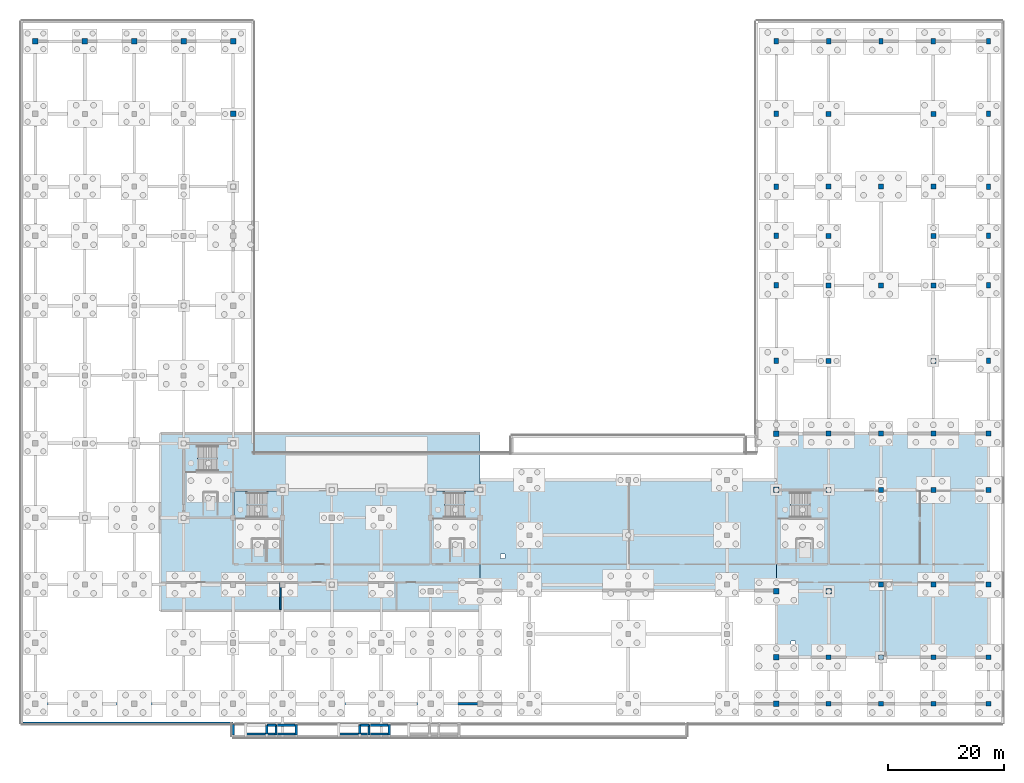
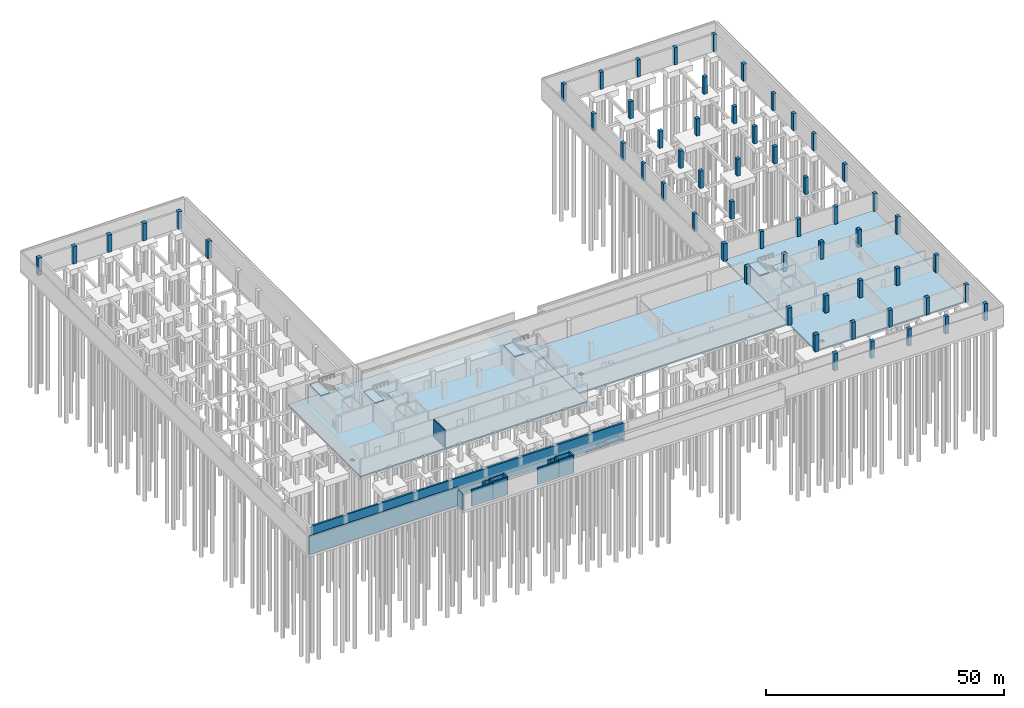
# One storey, part 8 of 25: 58 columns, 18 walls, 11 slabs, 4 elements without a shape of their own.
"""IFC4 building model written with IfcOpenShell, lengths in metres."""

from ifc_helpers import new_model, si_unit, direction, frame, frame_2d, origin, origin_2d, place, context, subcontext, project, spatial, polyline, rectangle, outline, extrude, material, layer, layer_set, material_profile, profile_set, type_object, element, aggregate, save


model = new_model("IFC4")

# Units and contexts
model_context = context("Model", 3, precision=1e-05, world=origin(), true_north=direction((0.0, 1.0)))
body_context = subcontext(model_context, "Body", "Model", "MODEL_VIEW")
ifc_project = project(units=[si_unit("LENGTHUNIT", "METRE"), si_unit("AREAUNIT", "SQUARE_METRE"), si_unit("VOLUMEUNIT", "CUBIC_METRE"), si_unit("PLANEANGLEUNIT", "RADIAN"), si_unit("MASSUNIT", "GRAM", prefix="KILO")], contexts=[model_context])

# Site, building, storey
site_placement = place(None, origin())
site = spatial("IfcSite", under=ifc_project, at=site_placement, CompositionType="ELEMENT")
building_placement = place(site_placement, origin())
building = spatial("IfcBuilding", under=site, at=building_placement, Name="Solvikara Media Centre", CompositionType="ELEMENT")
storey_placement = place(building_placement, frame((0.0, 0.0, -4.800048828125)))
storey = spatial("IfcBuildingStorey", under=building, at=storey_placement, Name="B01", CompositionType="ELEMENT", Elevation=-4.800048828125)

# Columns
ifc_material_1 = material(Name="Concrete fc' 45 MPa (C45/55)", Category="concrete")
ifc_material_profile_1 = material_profile(ifc_material_1, rectangle(XDim=0.85009765625, YDim=0.85009765625, at=origin_2d()), Name="RC 850x850")
ifc_profile_set_1 = profile_set([ifc_material_profile_1], Name="Concrete fc' 45 MPa (C45/55)")
column_type_1 = type_object("IfcColumnType", Name="CL-06", PredefinedType="COLUMN", material=ifc_profile_set_1)
for number, where, z_axis, x_axis, name in (
    (1, (136.5, 0.0, 0.0), (0.0, 0.0, 1.0), (1.0, 0.0, 0.0), "C-B01-1365-0000"),
    (2, (136.5, 8.0, 0.0), (0.0, 0.0, 1.0), (1.0, 0.0, 0.0), "C-B01-1365-0080"),
    (3, (136.5, 36.800048828125, 0.0), (0.0, 0.0, 1.0), (1.0, 0.0, 0.0), "C-B01-1365-0368"),
    (4, (136.5, 46.5, 0.0), (0.0, 0.0, 1.0), (1.0, 0.0, 0.0), "C-B01-1365-0465"),
    (5, (145.5, 0.0, 0.0), (0.0, 0.0, 1.0), (1.0, 0.0, 0.0), "C-B01-1455-0000"),
    (6, (145.5, 8.0, 0.0), (0.0, 0.0, 1.0), (1.0, 0.0, 0.0), "C-B01-1455-0080"),
    (7, (145.5, 20.5, 0.0), (0.0, 0.0, 1.0), (1.0, 0.0, 0.0), "C-B01-1455-0205"),
    (8, (145.5, 36.800048828125, 0.0), (0.0, 0.0, 1.0), (1.0, 0.0, 0.0), "C-B01-1455-0368"),
    (9, (145.5, 46.5, 0.0), (0.0, 0.0, 1.0), (1.0, 0.0, 0.0), "C-B01-1455-0465"),
    (10, (154.5, 0.0, 0.0), (0.0, 0.0, 1.0), (1.0, 0.0, 0.0), "C-B01-1545-0000"),
    (11, (154.5, 8.0, 0.0), (0.0, 0.0, 1.0), (1.0, 0.0, 0.0), "C-B01-1545-0080"),
    (12, (154.5, 20.5, 0.0), (0.0, 0.0, 1.0), (1.0, 0.0, 0.0), "C-B01-1545-0205"),
    (13, (154.5, 36.800048828125, 0.0), (0.0, 0.0, 1.0), (1.0, 0.0, 0.0), "C-B01-1545-0368"),
    (14, (154.5, 46.5, 0.0), (0.0, 0.0, 1.0), (1.0, 0.0, 0.0), "C-B01-1545-0465"),
    (15, (164.0, 0.0, 0.0), (0.0, 0.0, 1.0), (1.0, 0.0, 0.0), "C-B01-1640-0000"),
    (16, (164.0, 8.0, 0.0), (0.0, 0.0, 1.0), (1.0, 0.0, 0.0), "C-B01-1640-0080"),
    (17, (164.0, 20.5, 0.0), (0.0, 0.0, 1.0), (1.0, 0.0, 0.0), "C-B01-1640-0205"),
    (18, (164.0, 36.800048828125, 0.0), (0.0, 0.0, 1.0), (1.0, 0.0, 0.0), "C-B01-1640-0368"),
    (19, (164.0, 46.5, 0.0), (0.0, 0.0, 1.0), (1.0, 0.0, 0.0), "C-B01-1640-0465"),
    (20, (136.5, 59.0, 0.0), (0.0, 0.0, 1.0), (1.0, 0.0, 0.0), "C-B01-1365-0590"),
    (21, (136.5, 72.0, 0.0), (0.0, 0.0, 1.0), (1.0, 0.0, 0.0), "C-B01-1365-0720"),
    (22, (136.5, 80.5, 0.0), (0.0, 0.0, 1.0), (1.0, 0.0, 0.0), "C-B01-1365-0805"),
    (23, (136.5, 89.0, 0.0), (0.0, 0.0, 1.0), (1.0, 0.0, 0.0), "C-B01-1365-0890"),
    (24, (136.5, 101.5, 0.0), (0.0, 0.0, 1.0), (1.0, 0.0, 0.0), "C-B01-1365-1015"),
    (25, (145.5, 72.0, 0.0), (0.0, 0.0, 1.0), (1.0, 0.0, 0.0), "C-B01-1455-0720"),
    (26, (145.5, 89.0, 0.0), (0.0, 0.0, 1.0), (1.0, 0.0, 0.0), "C-B01-1455-0890"),
    (27, (154.5, 59.0, 0.0), (0.0, 0.0, 1.0), (1.0, 0.0, 0.0), "C-B01-1545-0590"),
    (28, (154.5, 72.0, 0.0), (0.0, 0.0, 1.0), (1.0, 0.0, 0.0), "C-B01-1545-0720"),
    (29, (154.5, 80.5, 0.0), (0.0, 0.0, 1.0), (1.0, 0.0, 0.0), "C-B01-1545-0805"),
    (30, (154.5, 89.0, 0.0), (0.0, 0.0, 1.0), (1.0, 0.0, 0.0), "C-B01-1545-0890"),
    (31, (154.5, 101.5, 0.0), (0.0, 0.0, 1.0), (1.0, 0.0, 0.0), "C-B01-1545-1015"),
):
    element("IfcColumn", number, at=place(storey_placement, frame(where, z_axis=z_axis, x_axis=x_axis)), inside=storey, type_object=column_type_1, Name=name, PredefinedType="COLUMN", context=body_context, shape_type="SweptSolid", body=[
        extrude(rectangle(XDim=0.85009765625, YDim=0.85009765625, at=origin_2d()), origin(), (0.0, 0.0, 1.0), 4.420166015625),
    ])
ifc_material_profile_2 = material_profile(ifc_material_1, rectangle(XDim=0.949951171875, YDim=0.949951171875, at=origin_2d()), Name="RC 950x950")
ifc_profile_set_2 = profile_set([ifc_material_profile_2], Name="Concrete fc' 45 MPa (C45/55)")
column_type_2 = type_object("IfcColumnType", Name="CL-08", PredefinedType="COLUMN", material=ifc_profile_set_2)
for number, where, z_axis, x_axis, name in (
    (32, (0.0, 114.0, 0.0), (0.0, 0.0, 1.0), (1.0, 0.0, 0.0), "C-B01-0000-1140"),
    (33, (8.5, 114.0, 0.0), (0.0, 0.0, 1.0), (1.0, 0.0, 0.0), "C-B01-0085-1140"),
    (34, (17.0, 114.0, 0.0), (0.0, 0.0, 1.0), (1.0, 0.0, 0.0), "C-B01-0170-1140"),
    (35, (25.5, 114.0, 0.0), (0.0, 0.0, 1.0), (1.0, 0.0, 0.0), "C-B01-0255-1140"),
    (36, (34.0, 101.5, 0.0), (0.0, 0.0, 1.0), (1.0, 0.0, 0.0), "C-B01-0340-1015"),
    (37, (34.0, 114.0, 0.0), (0.0, 0.0, 1.0), (1.0, 0.0, 0.0), "C-B01-0340-1140"),
):
    element("IfcColumn", number, at=place(storey_placement, frame(where, z_axis=z_axis, x_axis=x_axis)), inside=storey, type_object=column_type_2, Name=name, PredefinedType="COLUMN", context=body_context, shape_type="SweptSolid", body=[
        extrude(rectangle(XDim=0.949951171875, YDim=0.949951171875, at=origin_2d()), origin(), (0.0, 0.0, 1.0), 4.4599609375),
    ])
for number, where, z_axis, x_axis, name in (
    (38, (127.5, 0.0, 0.0), (0.0, 0.0, 1.0), (1.0, 0.0, 0.0), "C-B01-1275-0000"),
    (39, (127.5, 8.0, 0.0), (0.0, 0.0, 1.0), (1.0, 0.0, 0.0), "C-B01-1275-0080"),
    (40, (127.5, 36.800048828125, 0.0), (0.0, 0.0, 1.0), (1.0, 0.0, 0.0), "C-B01-1275-0368"),
    (41, (127.5, 46.5, 0.0), (0.0, 0.0, 1.0), (1.0, 0.0, 0.0), "C-B01-1275-0465"),
    (42, (136.5, 19.323974609375, 0.0), (0.0, 0.0, 1.0), (1.0, 0.0, 0.0), "C-B01-1365-0193"),
    (43, (127.5, 19.323974609375, 0.0), (0.0, 0.0, 1.0), (1.0, 0.0, 0.0), "C-B01-1275-0193"),
):
    element("IfcColumn", number, at=place(storey_placement, frame(where, z_axis=z_axis, x_axis=x_axis)), inside=storey, type_object=column_type_2, Name=name, PredefinedType="COLUMN", context=body_context, shape_type="SweptSolid", body=[
        extrude(rectangle(XDim=0.949951171875, YDim=0.949951171875, at=origin_2d()), origin(), (0.0, 0.0, 1.0), 4.420166015625),
    ])
ifc_material_profile_3 = material_profile(ifc_material_1, rectangle(XDim=0.75, YDim=0.949951171875, at=origin_2d()), Name="RC 750x950")
ifc_profile_set_3 = profile_set([ifc_material_profile_3], Name="Concrete fc' 45 MPa (C45/55)")
column_type_3 = type_object("IfcColumnType", Name="CL-14", PredefinedType="COLUMN", material=ifc_profile_set_3)
for number, where, z_axis, x_axis, name in (
    (44, (127.5, 59.0, 0.0), (0.0, 0.0, 1.0), (1.0, 0.0, 0.0), "C-B01-1275-0590"),
    (45, (127.5, 72.0, 0.0), (0.0, 0.0, 1.0), (1.0, 0.0, 0.0), "C-B01-1275-0720"),
    (46, (127.5, 80.5, 0.0), (0.0, 0.0, 1.0), (1.0, 0.0, 0.0), "C-B01-1275-0805"),
    (47, (127.5, 89.0, 0.0), (0.0, 0.0, 1.0), (1.0, 0.0, 0.0), "C-B01-1275-0890"),
    (48, (127.5, 101.5, 0.0), (0.0, 0.0, 1.0), (1.0, 0.0, 0.0), "C-B01-1275-1015"),
    (49, (127.5, 114.0, 0.0), (0.0, 0.0, 1.0), (1.0, 0.0, 0.0), "C-B01-1275-1140"),
    (50, (136.5, 114.0, 0.0), (0.0, 0.0, 1.0), (1.0, 0.0, 0.0), "C-B01-1365-1140"),
    (51, (145.5, 114.0, 0.0), (0.0, 0.0, 1.0), (1.0, 0.0, 0.0), "C-B01-1455-1140"),
    (52, (154.5, 114.0, 0.0), (0.0, 0.0, 1.0), (1.0, 0.0, 0.0), "C-B01-1545-1140"),
    (53, (164.0, 59.0, 0.0), (0.0, 0.0, 1.0), (1.0, 0.0, 0.0), "C-B01-1640-0590"),
    (54, (164.0, 72.0, 0.0), (0.0, 0.0, 1.0), (1.0, 0.0, 0.0), "C-B01-1640-0720"),
    (55, (164.0, 80.5, 0.0), (0.0, 0.0, 1.0), (1.0, 0.0, 0.0), "C-B01-1640-0805"),
    (56, (164.0, 89.0, 0.0), (0.0, 0.0, 1.0), (1.0, 0.0, 0.0), "C-B01-1640-0890"),
    (57, (164.0, 101.5, 0.0), (0.0, 0.0, 1.0), (1.0, 0.0, 0.0), "C-B01-1640-1015"),
    (58, (164.0, 114.0, 0.0), (0.0, 0.0, 1.0), (1.0, 0.0, 0.0), "C-B01-1640-1140"),
):
    element("IfcColumn", number, at=place(storey_placement, frame(where, z_axis=z_axis, x_axis=x_axis)), inside=storey, type_object=column_type_3, Name=name, PredefinedType="COLUMN", context=body_context, shape_type="SweptSolid", body=[
        extrude(rectangle(XDim=0.75, YDim=0.949951171875, at=origin_2d()), origin(), (0.0, 0.0, 1.0), 4.420166015625),
    ])

# Slabs
ifc_material_2 = material(Name="Concrete fc' 35 MPa (C35/45)", Category="concrete")
ifc_layer_1 = layer(ifc_material_2, 0.419921875)
ifc_layer_set_1 = layer_set([ifc_layer_1], Name="Concrete fc' 35 MPa (C35/45)")
slab_type_1 = type_object("IfcSlabType", Name="ST-01", PredefinedType="BASESLAB", material=ifc_layer_set_1)
slab_1_placement = place(storey_placement, frame((0.0, 0.0, -0.419921875)))
element("IfcSlab", 59, at=slab_1_placement, inside=storey, type_object=slab_type_1, Name="SL-B01-V6", PredefinedType="BASESLAB", context=body_context, shape_type="SweptSolid", body=[
    extrude(outline(polyline([(21.5, 16.0), (76.5, 16.0), (76.5, 46.5), (21.5, 46.5), (21.5, 16.0)]), holes=[polyline([(22.60009765625, 21.60009765625), (23.39990234375, 21.60009765625), (23.39990234375, 22.39990234375), (22.60009765625, 22.39990234375), (22.60009765625, 21.60009765625)])]), origin(), (0.0, 0.0, 1.0), 0.419921875),
])
slab_2_placement = place(storey_placement, frame((0.0, 0.0, -0.419921875)))
element("IfcSlab", 60, at=slab_2_placement, inside=storey, type_object=slab_type_1, Name="SL-B01-V7LINK", PredefinedType="BASESLAB", context=body_context, shape_type="SweptSolid", body=[
    extrude(outline(polyline([(76.5, 19.5), (127.5, 19.5), (127.5, 38.5), (76.5, 38.5), (76.5, 19.5)]), holes=[polyline([(80.0, 25.0), (80.800048828125, 25.0), (80.800048828125, 25.800048828125), (80.0, 25.800048828125), (80.0, 25.0)])]), origin(), (0.0, 0.0, 1.0), 0.419921875),
])
slab_3_placement = place(storey_placement, frame((0.0, 0.0, -0.419921875)))
element("IfcSlab", 61, at=slab_3_placement, inside=storey, type_object=slab_type_1, Name="SL-B01-V5", PredefinedType="BASESLAB", context=body_context, shape_type="SweptSolid", body=[
    extrude(outline(polyline([(127.5, 8.0), (164.0, 8.0), (164.0, 46.5), (127.5, 46.5), (127.5, 8.0)]), holes=[polyline([(130.0, 10.0), (130.800048828125, 10.0), (130.800048828125, 10.800048828125), (130.0, 10.800048828125), (130.0, 10.0)])]), origin(), (0.0, 0.0, 1.0), 0.419921875),
])

# Stair, slabs
stair_type_1 = type_object("IfcStairType", Name="SR-01", PredefinedType="HALF_TURN_STAIR", material=ifc_material_2)
stair_1_placement = place(storey_placement, origin())
stair_1 = element("IfcStair", 62, at=stair_1_placement, inside=storey, type_object=stair_type_1, Name="ST-C1-B01", PredefinedType="HALF_TURN_STAIR")
ifc_layer_2 = layer(ifc_material_2, 0.330078125)
ifc_layer_set_2 = layer_set([ifc_layer_2], Name="Concrete fc' 35 MPa (C35/45)")
slab_type_2 = type_object("IfcSlabType", Name="ST-15", PredefinedType="LANDING", material=ifc_layer_set_2)
slab_4_placement = place(storey_placement, frame((0.0, 0.0, 2.070068359375)))
slab_4 = element("IfcSlab", 63, at=slab_4_placement, type_object=slab_type_2, Name="ST-C1-B01-LND", PredefinedType="LANDING", context=body_context, shape_type="SweptSolid", body=[
    extrude(outline(polyline([(31.300048828125, 39.85009765625), (33.8798828125, 39.85009765625), (33.8798828125, 44.6201171875), (31.300048828125, 44.6201171875), (31.300048828125, 39.85009765625)])), origin(), (0.0, 0.0, 1.0), 0.330078125),
])
slab_5_placement = place(storey_placement, frame((0.0, 0.0, 4.469970703125)))
slab_5 = element("IfcSlab", 64, at=slab_5_placement, type_object=slab_type_2, Name="ST-C1-B01-ARR", PredefinedType="LANDING", context=body_context, shape_type="SweptSolid", body=[
    extrude(outline(polyline([(25.6201171875, 39.85009765625), (27.89990234375, 39.85009765625), (27.89990234375, 44.6201171875), (25.6201171875, 44.6201171875), (25.6201171875, 39.85009765625)])), origin(), (0.0, 0.0, 1.0), 0.330078125),
])
aggregate(stair_1, [slab_4, slab_5])

stair_type_2 = type_object("IfcStairType", Name="SR-03", PredefinedType="HALF_TURN_STAIR", material=ifc_material_2)
stair_2_placement = place(storey_placement, origin())
stair_2 = element("IfcStair", 65, at=stair_2_placement, inside=storey, type_object=stair_type_2, Name="ST-C2-B01", PredefinedType="HALF_TURN_STAIR")
slab_6_placement = place(storey_placement, frame((0.0, 0.0, 2.070068359375)))
slab_6 = element("IfcSlab", 66, at=slab_6_placement, type_object=slab_type_2, Name="ST-C2-B01-LND", PredefinedType="LANDING", context=body_context, shape_type="SweptSolid", body=[
    extrude(outline(polyline([(39.800048828125, 31.85009765625), (42.3798828125, 31.85009765625), (42.3798828125, 36.6201171875), (39.800048828125, 36.6201171875), (39.800048828125, 31.85009765625)])), origin(), (0.0, 0.0, 1.0), 0.330078125),
])
slab_7_placement = place(storey_placement, frame((0.0, 0.0, 4.469970703125)))
slab_7 = element("IfcSlab", 67, at=slab_7_placement, type_object=slab_type_2, Name="ST-C2-B01-ARR", PredefinedType="LANDING", context=body_context, shape_type="SweptSolid", body=[
    extrude(outline(polyline([(34.1201171875, 31.85009765625), (36.39990234375, 31.85009765625), (36.39990234375, 36.6201171875), (34.1201171875, 36.6201171875), (34.1201171875, 31.85009765625)])), origin(), (0.0, 0.0, 1.0), 0.330078125),
])
aggregate(stair_2, [slab_6, slab_7])

stair_3_placement = place(storey_placement, origin())
stair_3 = element("IfcStair", 68, at=stair_3_placement, inside=storey, type_object=stair_type_2, Name="ST-C3-B01", PredefinedType="HALF_TURN_STAIR")
slab_8_placement = place(storey_placement, frame((0.0, 0.0, 2.070068359375)))
slab_8 = element("IfcSlab", 69, at=slab_8_placement, type_object=slab_type_2, Name="ST-C3-B01-LND", PredefinedType="LANDING", context=body_context, shape_type="SweptSolid", body=[
    extrude(outline(polyline([(73.800048828125, 31.85009765625), (76.3798828125, 31.85009765625), (76.3798828125, 36.6201171875), (73.800048828125, 36.6201171875), (73.800048828125, 31.85009765625)])), origin(), (0.0, 0.0, 1.0), 0.330078125),
])
slab_9_placement = place(storey_placement, frame((0.0, 0.0, 4.469970703125)))
slab_9 = element("IfcSlab", 70, at=slab_9_placement, type_object=slab_type_2, Name="ST-C3-B01-ARR", PredefinedType="LANDING", context=body_context, shape_type="SweptSolid", body=[
    extrude(outline(polyline([(68.1201171875, 31.85009765625), (70.39990234375, 31.85009765625), (70.39990234375, 36.6201171875), (68.1201171875, 36.6201171875), (68.1201171875, 31.85009765625)])), origin(), (0.0, 0.0, 1.0), 0.330078125),
])
aggregate(stair_3, [slab_8, slab_9])

stair_4_placement = place(storey_placement, origin())
stair_4 = element("IfcStair", 71, at=stair_4_placement, inside=storey, type_object=stair_type_1, Name="ST-C4-B01", PredefinedType="HALF_TURN_STAIR")
slab_10_placement = place(storey_placement, frame((0.0, 0.0, 2.070068359375)))
slab_10 = element("IfcSlab", 72, at=slab_10_placement, type_object=slab_type_2, Name="ST-C4-B01-LND", PredefinedType="LANDING", context=body_context, shape_type="SweptSolid", body=[
    extrude(outline(polyline([(133.300048828125, 31.85009765625), (136.3798828125, 31.85009765625), (136.3798828125, 36.6201171875), (133.300048828125, 36.6201171875), (133.300048828125, 31.85009765625)])), origin(), (0.0, 0.0, 1.0), 0.330078125),
])
slab_11_placement = place(storey_placement, frame((0.0, 0.0, 4.469970703125)))
slab_11 = element("IfcSlab", 73, at=slab_11_placement, type_object=slab_type_2, Name="ST-C4-B01-ARR", PredefinedType="LANDING", context=body_context, shape_type="SweptSolid", body=[
    extrude(outline(polyline([(127.6201171875, 31.85009765625), (129.89990234375, 31.85009765625), (129.89990234375, 36.6201171875), (127.6201171875, 36.6201171875), (127.6201171875, 31.85009765625)])), origin(), (0.0, 0.0, 1.0), 0.330078125),
])
aggregate(stair_4, [slab_10, slab_11])

# Walls
ifc_layer_3 = layer(ifc_material_1, 0.449951171875)
ifc_layer_set_3 = layer_set([ifc_layer_3], Name="Concrete fc' 45 MPa (C45/55)")
wall_type_1 = type_object("IfcWallType", Name="WT-01", PredefinedType="SHEAR", material=ifc_layer_set_3)
wall_1_placement = place(storey_placement, frame((-2.14990234375, -3.330078125, 0.0), z_axis=(0.0, 0.0, 1.0), x_axis=(1.0, 0.0, 0.0)))
element("IfcWall", 74, at=wall_1_placement, inside=storey, type_object=wall_type_1, Name="W-B01-15", PredefinedType="SHEAR", context=body_context, shape_type="SweptSolid", body=[
    extrude(rectangle(XDim=36.14990234375, YDim=0.449951171875, at=frame_2d((18.074951171875, 0.0))), origin(), (0.0, 0.0, 1.0), 4.550048828125),
])
wall_2_placement = place(storey_placement, frame((0.219970703125, 0.0, 0.0), z_axis=(0.0, 0.0, 1.0), x_axis=(1.0, 0.0, 0.0)))
element("IfcWall", 75, at=wall_2_placement, inside=storey, type_object=wall_type_1, Name="W-B01-19", PredefinedType="SHEAR", context=body_context, shape_type="SweptSolid", body=[
    extrude(rectangle(XDim=76.06005859375, YDim=0.449951171875, at=frame_2d((38.030029296875, 0.0))), origin(), (0.0, 0.0, 1.0), 4.420166015625),
])
wall_3_placement = place(storey_placement, frame((34.0, -5.39990234375, 0.0), z_axis=(0.0, 0.0, 1.0), x_axis=(0.0, 1.0, 0.0)))
element("IfcWall", 76, at=wall_3_placement, inside=storey, type_object=wall_type_1, Name="W-B01-ARR-02", PredefinedType="SHEAR", context=body_context, shape_type="SweptSolid", body=[
    extrude(rectangle(XDim=1.83984375, YDim=0.449951171875, at=frame_2d((0.919921875, 0.0))), origin(), (0.0, 0.0, 1.0), 3.880126953125),
])
ifc_layer_4 = layer(ifc_material_1, 0.25)
ifc_layer_set_4 = layer_set([ifc_layer_4], Name="Concrete fc' 45 MPa (C45/55)")
wall_type_2 = type_object("IfcWallType", Name="WT-07", PredefinedType="STANDARD", material=ifc_layer_set_4)
wall_4_placement = place(storey_placement, frame((42.14990234375, 16.199951171875, 0.0), z_axis=(0.0, 0.0, 1.0), x_axis=(0.0, 1.0, 0.0)))
element("IfcWall", 77, at=wall_4_placement, inside=storey, type_object=wall_type_2, Name="Cold Film Archive Vault Wall B01-1", PredefinedType="STANDARD", context=body_context, shape_type="SweptSolid", body=[
    extrude(rectangle(XDim=4.60009765625, YDim=0.25, at=frame_2d((2.300048828125, 0.0))), origin(), (0.0, 0.0, 1.0), 4.5),
])
ifc_layer_5 = layer(ifc_material_1, 0.360107421875)
ifc_layer_set_5 = layer_set([ifc_layer_5], Name="Concrete fc' 45 MPa (C45/55)")
wall_type_3 = type_object("IfcWallType", Name="WT-23", PredefinedType="STANDARD", material=ifc_layer_set_5)
wall_5_placement = place(storey_placement, frame((36.199951171875, -5.199951171875, 0.0), z_axis=(0.0, 0.0, 1.0), x_axis=(1.0, 0.0, 0.0)))
element("IfcWall", 78, at=wall_5_placement, inside=storey, type_object=wall_type_3, Name="RW-01-S", PredefinedType="STANDARD", context=body_context, shape_type="SweptSolid", body=[
    extrude(rectangle(XDim=5.199951171875, YDim=0.360107421875, at=frame_2d((2.60009765625, 0.0))), origin(), (0.0, 0.0, 1.0), 4.25),
])
wall_6_placement = place(storey_placement, frame((41.39990234375, -5.199951171875, 0.0), z_axis=(0.0, 0.0, 1.0), x_axis=(1.0, 0.0, 0.0)))
element("IfcWall", 79, at=wall_6_placement, inside=storey, type_object=wall_type_3, Name="RW-01-S2", PredefinedType="STANDARD", context=body_context, shape_type="SweptSolid", body=[
    extrude(rectangle(XDim=3.47998046875, YDim=0.360107421875, at=frame_2d((1.739990234375, 0.0))), origin(), (0.0, 0.0, 1.0), 4.449951171875),
])
wall_7_placement = place(storey_placement, frame((39.800048828125, -3.699951171875, 0.0), z_axis=(0.0, 0.0, 1.0), x_axis=(1.0, 0.0, 0.0)))
element("IfcWall", 80, at=wall_7_placement, inside=storey, type_object=wall_type_3, Name="RW-01-N", PredefinedType="STANDARD", context=body_context, shape_type="SweptSolid", body=[
    extrude(rectangle(XDim=1.599853515625, YDim=0.360107421875, at=frame_2d((0.7998046875, 0.0))), origin(), (0.0, 0.0, 1.0), 4.25),
])
wall_8_placement = place(storey_placement, frame((41.39990234375, -3.699951171875, 0.0), z_axis=(0.0, 0.0, 1.0), x_axis=(1.0, 0.0, 0.0)))
element("IfcWall", 81, at=wall_8_placement, inside=storey, type_object=wall_type_3, Name="RW-01-N2", PredefinedType="STANDARD", context=body_context, shape_type="SweptSolid", body=[
    extrude(rectangle(XDim=3.47998046875, YDim=0.360107421875, at=frame_2d((1.739990234375, 0.0))), origin(), (0.0, 0.0, 1.0), 4.449951171875),
])
wall_9_placement = place(storey_placement, frame((39.800048828125, -5.199951171875, 0.0), z_axis=(0.0, 0.0, 1.0), x_axis=(0.0, 1.0, 0.0)))
element("IfcWall", 82, at=wall_9_placement, inside=storey, type_object=wall_type_3, Name="RW-01-W", PredefinedType="STANDARD", context=body_context, shape_type="SweptSolid", body=[
    extrude(rectangle(XDim=1.5, YDim=0.360107421875, at=frame_2d((0.75, 0.0))), origin(), (0.0, 0.0, 1.0), 4.25),
])
wall_10_placement = place(storey_placement, frame((41.39990234375, -5.35009765625, 0.0), z_axis=(0.0, 0.0, 1.0), x_axis=(0.0, 1.0, 0.0)))
element("IfcWall", 83, at=wall_10_placement, inside=storey, type_object=wall_type_3, Name="RW-01-E", PredefinedType="STANDARD", context=body_context, shape_type="SweptSolid", body=[
    extrude(rectangle(XDim=1.800048828125, YDim=0.360107421875, at=frame_2d((0.89990234375, 0.0))), origin(), (0.0, 0.0, 1.0), 4.2900390625),
])
wall_11_placement = place(storey_placement, frame((44.8798828125, -5.35009765625, 0.0), z_axis=(0.0, 0.0, 1.0), x_axis=(0.0, 1.0, 0.0)))
element("IfcWall", 84, at=wall_11_placement, inside=storey, type_object=wall_type_3, Name="RW-01-TOP", PredefinedType="STANDARD", context=body_context, shape_type="SweptSolid", body=[
    extrude(rectangle(XDim=1.800048828125, YDim=0.360107421875, at=frame_2d((0.89990234375, 0.0))), origin(), (0.0, 0.0, 1.0), 4.60009765625),
])
wall_12_placement = place(storey_placement, frame((52.199951171875, -5.199951171875, 0.0), z_axis=(0.0, 0.0, 1.0), x_axis=(1.0, 0.0, 0.0)))
element("IfcWall", 85, at=wall_12_placement, inside=storey, type_object=wall_type_3, Name="RW-02-S", PredefinedType="STANDARD", context=body_context, shape_type="SweptSolid", body=[
    extrude(rectangle(XDim=5.199951171875, YDim=0.360107421875, at=frame_2d((2.60009765625, 0.0))), origin(), (0.0, 0.0, 1.0), 4.25),
])
wall_13_placement = place(storey_placement, frame((57.39990234375, -5.199951171875, 0.0), z_axis=(0.0, 0.0, 1.0), x_axis=(1.0, 0.0, 0.0)))
element("IfcWall", 86, at=wall_13_placement, inside=storey, type_object=wall_type_3, Name="RW-02-S2", PredefinedType="STANDARD", context=body_context, shape_type="SweptSolid", body=[
    extrude(rectangle(XDim=3.47998046875, YDim=0.360107421875, at=frame_2d((1.739990234375, 0.0))), origin(), (0.0, 0.0, 1.0), 4.449951171875),
])
wall_14_placement = place(storey_placement, frame((55.800048828125, -3.699951171875, 0.0), z_axis=(0.0, 0.0, 1.0), x_axis=(1.0, 0.0, 0.0)))
element("IfcWall", 87, at=wall_14_placement, inside=storey, type_object=wall_type_3, Name="RW-02-N", PredefinedType="STANDARD", context=body_context, shape_type="SweptSolid", body=[
    extrude(rectangle(XDim=1.599853515625, YDim=0.360107421875, at=frame_2d((0.7998046875, 0.0))), origin(), (0.0, 0.0, 1.0), 4.25),
])
wall_15_placement = place(storey_placement, frame((57.39990234375, -3.699951171875, 0.0), z_axis=(0.0, 0.0, 1.0), x_axis=(1.0, 0.0, 0.0)))
element("IfcWall", 88, at=wall_15_placement, inside=storey, type_object=wall_type_3, Name="RW-02-N2", PredefinedType="STANDARD", context=body_context, shape_type="SweptSolid", body=[
    extrude(rectangle(XDim=3.47998046875, YDim=0.360107421875, at=frame_2d((1.739990234375, 0.0))), origin(), (0.0, 0.0, 1.0), 4.449951171875),
])
wall_16_placement = place(storey_placement, frame((55.800048828125, -5.199951171875, 0.0), z_axis=(0.0, 0.0, 1.0), x_axis=(0.0, 1.0, 0.0)))
element("IfcWall", 89, at=wall_16_placement, inside=storey, type_object=wall_type_3, Name="RW-02-W", PredefinedType="STANDARD", context=body_context, shape_type="SweptSolid", body=[
    extrude(rectangle(XDim=1.5, YDim=0.360107421875, at=frame_2d((0.75, 0.0))), origin(), (0.0, 0.0, 1.0), 4.25),
])
wall_17_placement = place(storey_placement, frame((57.39990234375, -5.35009765625, 0.0), z_axis=(0.0, 0.0, 1.0), x_axis=(0.0, 1.0, 0.0)))
element("IfcWall", 90, at=wall_17_placement, inside=storey, type_object=wall_type_3, Name="RW-02-E", PredefinedType="STANDARD", context=body_context, shape_type="SweptSolid", body=[
    extrude(rectangle(XDim=1.800048828125, YDim=0.360107421875, at=frame_2d((0.89990234375, 0.0))), origin(), (0.0, 0.0, 1.0), 4.2900390625),
])
wall_18_placement = place(storey_placement, frame((60.8798828125, -5.35009765625, 0.0), z_axis=(0.0, 0.0, 1.0), x_axis=(0.0, 1.0, 0.0)))
element("IfcWall", 91, at=wall_18_placement, inside=storey, type_object=wall_type_3, Name="RW-02-TOP", PredefinedType="STANDARD", context=body_context, shape_type="SweptSolid", body=[
    extrude(rectangle(XDim=1.800048828125, YDim=0.360107421875, at=frame_2d((0.89990234375, 0.0))), origin(), (0.0, 0.0, 1.0), 4.60009765625),
])

save(model, "model.ifc")
